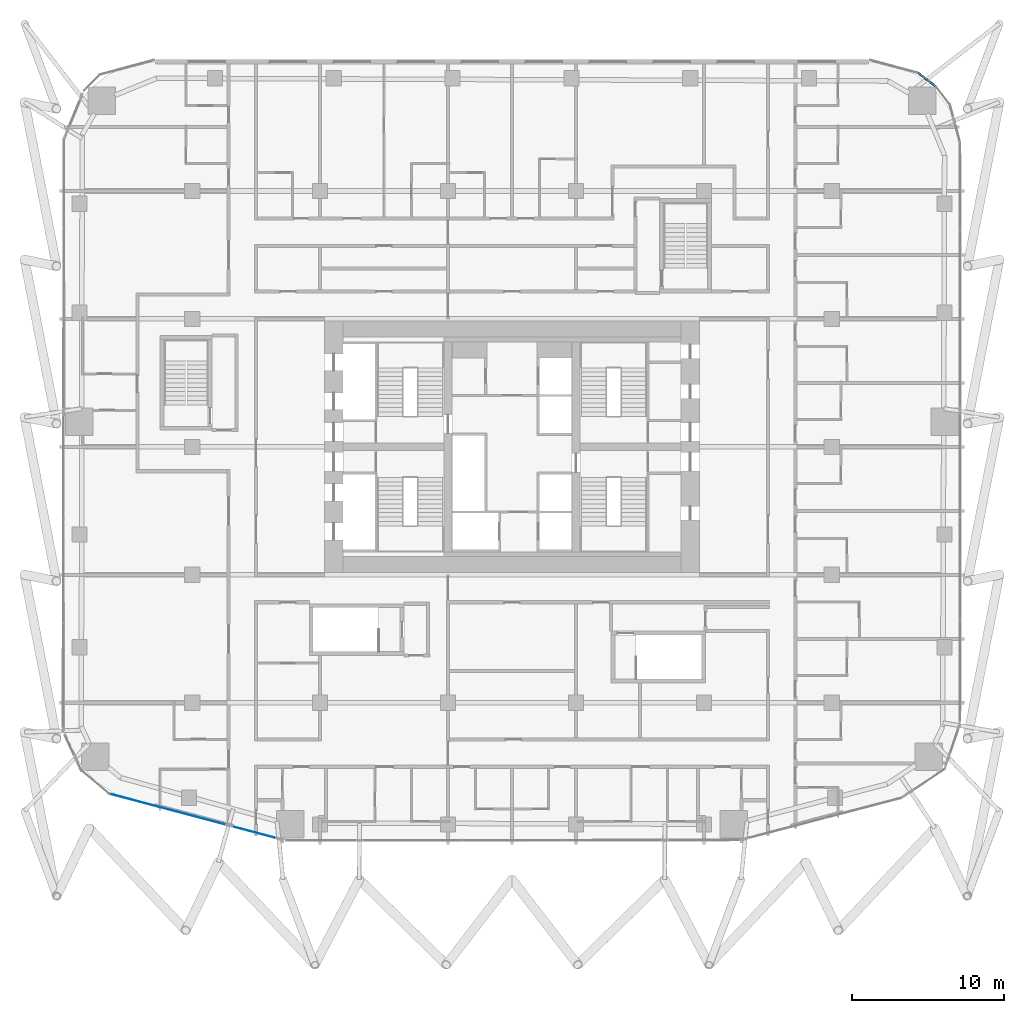
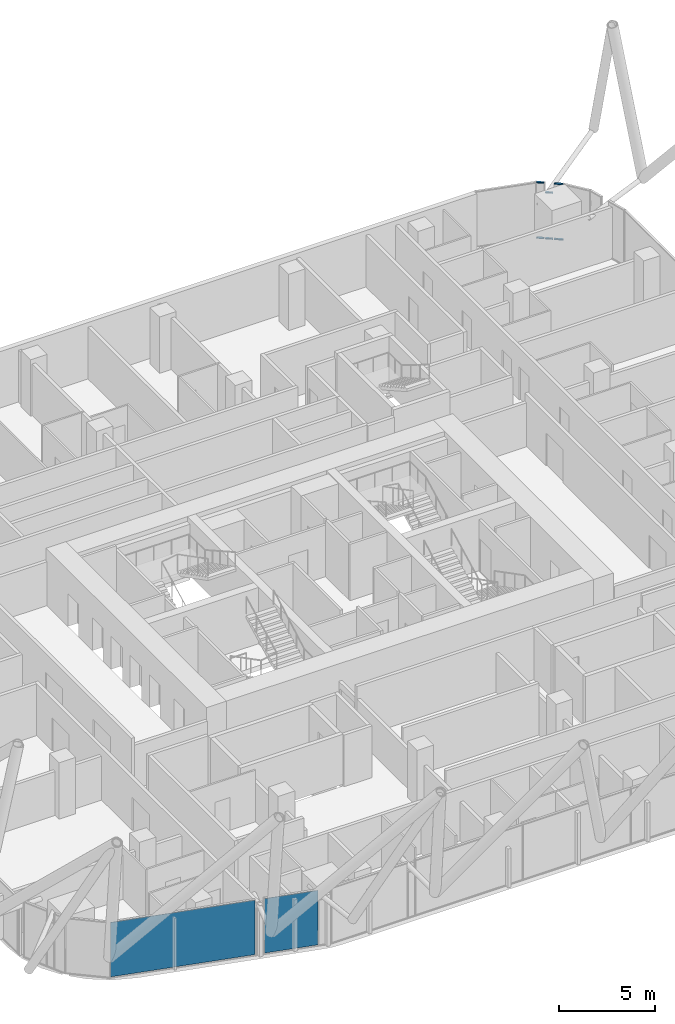
# One storey, part 19 of 36: 6 members, 2 plates, 5 elements without a shape of their own.
"""IFC4 building model written with IfcOpenShell, lengths in metres."""

from ifc_helpers import new_model, si_unit, direction, frame, origin, origin_2d, place, context, subcontext, project, spatial, rectangle, extrude, material, layer, layer_set, material_profile, profile_set, type_object, element, aggregate, save


model = new_model("IFC4")

# Units and contexts
model_context = context("Model", 3, precision=1e-05, world=origin(), true_north=direction((0.0, 1.0)))
body_context = subcontext(model_context, "Body", "Model", "MODEL_VIEW")
ifc_project = project(units=[si_unit("LENGTHUNIT", "METRE"), si_unit("AREAUNIT", "SQUARE_METRE"), si_unit("VOLUMEUNIT", "CUBIC_METRE"), si_unit("PLANEANGLEUNIT", "RADIAN"), si_unit("MASSUNIT", "GRAM", prefix="KILO")], contexts=[model_context])

# Site, building, storey
site_placement = place(None, origin())
site = spatial("IfcSite", under=ifc_project, at=site_placement, CompositionType="ELEMENT")
building_placement = place(site_placement, origin())
building = spatial("IfcBuilding", under=site, at=building_placement, Name="Marenta Gate Hotel Tower", CompositionType="ELEMENT")
storey_placement = place(building_placement, frame((0.0, 0.0, 83.300048828125)))
storey = spatial("IfcBuildingStorey", under=building, at=storey_placement, Name="L19", CompositionType="ELEMENT", Elevation=83.300048828125)

# Curtain wall, members
ifc_material_1 = material(Name="Tinted insulated glass in bronze anodised frame", Category="glass")
ifc_layer_1 = layer(ifc_material_1, 0.1201171875)
ifc_layer_set_1 = layer_set([ifc_layer_1], Name="Tinted insulated glass in bronze anodised frame")
curtain_wall_type = type_object("IfcCurtainWallType", Name="Tower unitised curtain wall CW1", PredefinedType="NOTDEFINED", material=ifc_layer_set_1)
curtain_wall_1_placement = place(storey_placement, origin())
curtain_wall_1 = element("IfcCurtainWall", 1, at=curtain_wall_1_placement, inside=storey, type_object=curtain_wall_type, Name="CW1 run G39", PredefinedType="NOTDEFINED")
ifc_material_2 = material(Name="Bronze anodised aluminium", Category="aluminium")
ifc_material_profile = material_profile(ifc_material_2, rectangle(XDim=0.1201171875, YDim=0.06005859375, at=origin_2d()), Name="Transom CW1 60x120 bronze anodised aluminium")
ifc_profile_set = profile_set([ifc_material_profile], Name="Bronze anodised aluminium")
member_type = type_object("IfcMemberType", Name="Transom CW1 60x120 bronze anodised aluminium", PredefinedType="USERDEFINED", material=ifc_profile_set)
member_1_placement = place(storey_placement, frame((27.7978515625, 32.08203125, 0.030029296875), z_axis=(-0.793224248978, 0.60892962716, 0.0), x_axis=(-0.60892962716, -0.793224248978, 0.0)))
member_1 = element("IfcMember", 2, at=member_1_placement, type_object=member_type, Name="CW1 transom 1.1", ObjectType="TRANSOM", PredefinedType="USERDEFINED", context=body_context, shape_type="SweptSolid", body=[
    extrude(rectangle(XDim=0.1201171875, YDim=0.06005859375, at=origin_2d()), origin(), (0.0, 0.0, 1.0), 0.483642578125),
])
member_2_placement = place(storey_placement, frame((27.7978515625, 32.08203125, 3.570068359375), z_axis=(-0.793224248978, 0.60892962716, 0.0), x_axis=(-0.60892962716, -0.793224248978, 0.0)))
member_2 = element("IfcMember", 3, at=member_2_placement, type_object=member_type, Name="CW1 transom 1.2", ObjectType="TRANSOM", PredefinedType="USERDEFINED", context=body_context, shape_type="SweptSolid", body=[
    extrude(rectangle(XDim=0.1201171875, YDim=0.06005859375, at=origin_2d()), origin(), (0.0, 0.0, 1.0), 0.483642578125),
])
aggregate(curtain_wall_1, [member_1, member_2])

curtain_wall_2_placement = place(storey_placement, origin())
curtain_wall_2 = element("IfcCurtainWall", 4, at=curtain_wall_2_placement, inside=storey, type_object=curtain_wall_type, Name="CW1 run G40", PredefinedType="NOTDEFINED")
member_3_placement = place(storey_placement, frame((27.36669921875, 32.412841796875, 0.030029296875), z_axis=(-0.793356294792, 0.608757578609, 0.0), x_axis=(-0.608757578609, -0.793356294792, 0.0)))
member_3 = element("IfcMember", 5, at=member_3_placement, type_object=member_type, Name="CW1 transom 1.1", ObjectType="TRANSOM", PredefinedType="USERDEFINED", context=body_context, shape_type="SweptSolid", body=[
    extrude(rectangle(XDim=0.1201171875, YDim=0.06005859375, at=origin_2d()), origin(), (0.0, 0.0, 1.0), 0.40869140625),
])
member_4_placement = place(storey_placement, frame((27.36669921875, 32.412841796875, 2.970458984375), z_axis=(-0.793356294792, 0.608757578609, 0.0), x_axis=(-0.608757578609, -0.793356294792, 0.0)))
member_4 = element("IfcMember", 6, at=member_4_placement, type_object=member_type, Name="CW1 transom 1.2", ObjectType="TRANSOM", PredefinedType="USERDEFINED", context=body_context, shape_type="SweptSolid", body=[
    extrude(rectangle(XDim=0.1201171875, YDim=0.06005859375, at=origin_2d()), origin(), (0.0, 0.0, 1.0), 0.40869140625),
])
aggregate(curtain_wall_2, [member_3, member_4])

curtain_wall_3_placement = place(storey_placement, origin())
curtain_wall_3 = element("IfcCurtainWall", 7, at=curtain_wall_3_placement, inside=storey, type_object=curtain_wall_type, Name="CW1 run G41", PredefinedType="NOTDEFINED")
member_5_placement = place(storey_placement, frame((26.994873046875, 32.6982421875, 0.030029296875), z_axis=(-0.793256562422, 0.60888753163, 0.0), x_axis=(-0.60888753163, -0.793256562422, 0.0)))
member_5 = element("IfcMember", 8, at=member_5_placement, type_object=member_type, Name="CW1 transom 1.1", ObjectType="TRANSOM", PredefinedType="USERDEFINED", context=body_context, shape_type="SweptSolid", body=[
    extrude(rectangle(XDim=0.1201171875, YDim=0.06005859375, at=origin_2d()), origin(), (0.0, 0.0, 1.0), 0.415771484375),
])
member_6_placement = place(storey_placement, frame((26.994873046875, 32.6982421875, 3.570068359375), z_axis=(-0.793256562422, 0.60888753163, 0.0), x_axis=(-0.60888753163, -0.793256562422, 0.0)))
member_6 = element("IfcMember", 9, at=member_6_placement, type_object=member_type, Name="CW1 transom 1.2", ObjectType="TRANSOM", PredefinedType="USERDEFINED", context=body_context, shape_type="SweptSolid", body=[
    extrude(rectangle(XDim=0.1201171875, YDim=0.06005859375, at=origin_2d()), origin(), (0.0, 0.0, 1.0), 0.415771484375),
])
aggregate(curtain_wall_3, [member_5, member_6])

# Curtain wall, plate
curtain_wall_4_placement = place(storey_placement, origin())
curtain_wall_4 = element("IfcCurtainWall", 10, at=curtain_wall_4_placement, inside=storey, type_object=curtain_wall_type, Name="CW1 run G14", PredefinedType="NOTDEFINED")
ifc_material_3 = material(Name="Tinted insulated glass", Category="glass")
ifc_layer_2 = layer(ifc_material_3, 0.028076171875)
ifc_layer_set_2 = layer_set([ifc_layer_2], Name="Tinted insulated glass")
plate_type = type_object("IfcPlateType", Name="Glass panel CW1 28 mm tinted insulated unit", PredefinedType="CURTAIN_PANEL", material=ifc_layer_set_2)
plate_1_placement = place(storey_placement, frame((-22.60986328125, -15.388427734375, 0.06005859375), z_axis=(0.0, 0.0, 1.0), x_axis=(0.96637300589, -0.257144343682, 0.0)))
plate_1 = element("IfcPlate", 11, at=plate_1_placement, type_object=plate_type, Name="CW1 panel 1.1", PredefinedType="CURTAIN_PANEL", context=body_context, shape_type="SweptSolid", body=[
    extrude(rectangle(XDim=7.830078125, YDim=0.028076171875, at=origin_2d()), origin(), (0.0, 0.0, 1.0), 3.47998046875),
])
aggregate(curtain_wall_4, [plate_1])

curtain_wall_5_placement = place(storey_placement, origin())
curtain_wall_5 = element("IfcCurtainWall", 12, at=curtain_wall_5_placement, inside=storey, type_object=curtain_wall_type, Name="CW1 run G16", PredefinedType="NOTDEFINED")
plate_2_placement = place(storey_placement, frame((-16.937255859375, -16.89794921875, 0.06005859375), z_axis=(0.0, 0.0, 1.0), x_axis=(0.96638023036, -0.257117191896, 0.0)))
plate_2 = element("IfcPlate", 13, at=plate_2_placement, type_object=plate_type, Name="CW1 panel 1.1", PredefinedType="CURTAIN_PANEL", context=body_context, shape_type="SweptSolid", body=[
    extrude(rectangle(XDim=2.88427734375, YDim=0.028076171875, at=origin_2d()), origin(), (0.0, 0.0, 1.0), 3.47998046875),
])
aggregate(curtain_wall_5, [plate_2])

save(model, "model.ifc")
